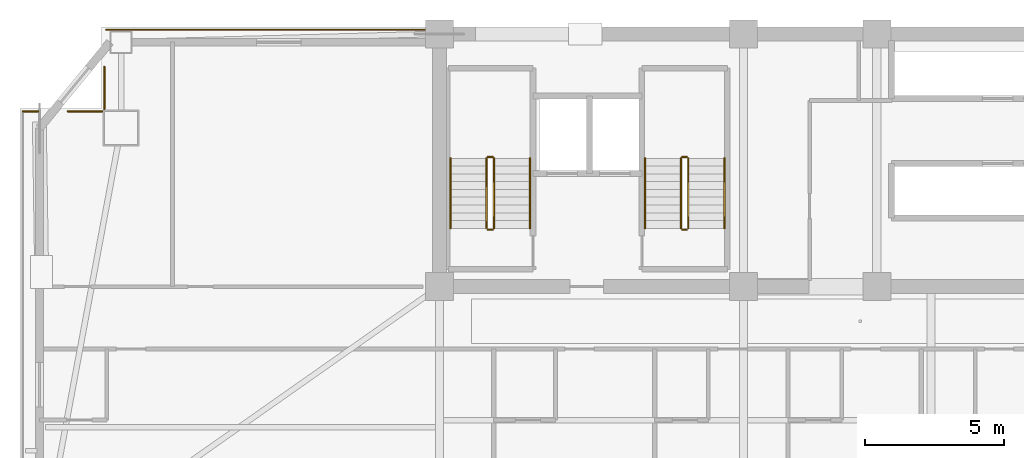
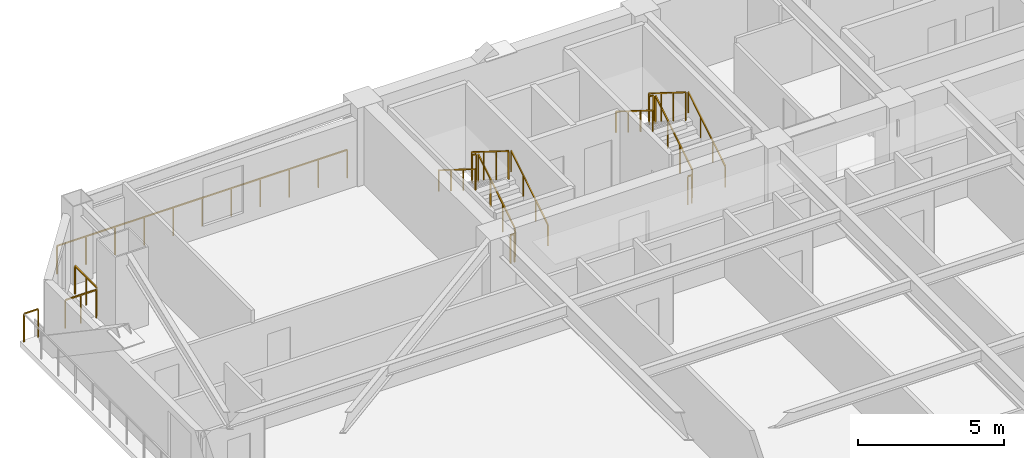
# One storey, part 14 of 15: 16 railings.
"""IFC4 building model written with IfcOpenShell, lengths in metres."""

from ifc_helpers import new_model, si_unit, direction, frame, origin, origin_2d, place, context, subcontext, project, spatial, rectangle, extrude, material, type_object, element, save


model = new_model("IFC4")

# Units and contexts
model_context = context("Model", 3, precision=1e-05, world=origin(), true_north=direction((0.0, 1.0)))
body_context = subcontext(model_context, "Body", "Model", "MODEL_VIEW")
ifc_project = project(units=[si_unit("LENGTHUNIT", "METRE"), si_unit("AREAUNIT", "SQUARE_METRE"), si_unit("VOLUMEUNIT", "CUBIC_METRE"), si_unit("PLANEANGLEUNIT", "RADIAN"), si_unit("MASSUNIT", "GRAM", prefix="KILO")], contexts=[model_context])

# Site, building, storey
site_placement = place(None, origin())
site = spatial("IfcSite", under=ifc_project, at=site_placement, CompositionType="ELEMENT")
building_placement = place(site_placement, origin())
building = spatial("IfcBuilding", under=site, at=building_placement, Name="Giltprow Tower", CompositionType="ELEMENT")
storey_placement = place(building_placement, frame((0.0, 0.0, 149.199951171875)))
storey = spatial("IfcBuildingStorey", under=building, at=storey_placement, Name="L36", CompositionType="ELEMENT", Elevation=149.199951171875)

# Railings
ifc_material = material(Name="Anodized bronze", Category="metal")
railing_type_1 = type_object("IfcRailingType", Name="RAIL-BALC-GUARD-1200", PredefinedType="BALUSTRADE", material=ifc_material)
railing_1_placement = place(storey_placement, frame((4.84912109375, 43.760986328125, 0.0)))
element("IfcRailing", 1, at=railing_1_placement, inside=storey, type_object=railing_type_1, Name="L36 Corner Apron Edge Balustrade 6", PredefinedType="BALUSTRADE", context=body_context, shape_type="SweptSolid", body=[
    extrude(rectangle(XDim=0.048095703125, YDim=0.048095703125, at=origin_2d()), frame((0.0, 0.0, 1.17578125), z_axis=(1.0, 0.0, 0.0), x_axis=(0.0, 1.0, 0.0)), (0.0, 0.0, 1.0), 0.561767578125),
    extrude(rectangle(XDim=0.0419921875, YDim=0.0419921875, at=origin_2d()), origin(), (0.0, 0.0, 1.0), 1.15185546875),
    extrude(rectangle(XDim=0.0419921875, YDim=0.0419921875, at=origin_2d()), frame((0.561767578125, 0.0, 0.0)), (0.0, 0.0, 1.0), 1.15185546875),
])
railing_2_placement = place(storey_placement, frame((6.472900390625, 43.760986328125, 0.0)))
element("IfcRailing", 2, at=railing_2_placement, inside=storey, type_object=railing_type_1, Name="L36 Corner Apron Edge Balustrade 7", PredefinedType="BALUSTRADE", context=body_context, shape_type="SweptSolid", body=[
    extrude(rectangle(XDim=0.048095703125, YDim=0.048095703125, at=origin_2d()), frame((0.0, 0.0, 1.17578125), z_axis=(1.0, 0.0, 0.0), x_axis=(0.0, 1.0, 0.0)), (0.0, 0.0, 1.0), 1.22998046875),
    extrude(rectangle(XDim=0.0419921875, YDim=0.0419921875, at=origin_2d()), origin(), (0.0, 0.0, 1.0), 1.15185546875),
    extrude(rectangle(XDim=0.0419921875, YDim=0.0419921875, at=origin_2d()), frame((0.614990234375, 0.0, 0.0)), (0.0, 0.0, 1.0), 1.15185546875),
    extrude(rectangle(XDim=0.0419921875, YDim=0.0419921875, at=origin_2d()), frame((1.22998046875, 0.0, 0.0)), (0.0, 0.0, 1.0), 1.15185546875),
])
railing_3_placement = place(storey_placement, frame((7.7880859375, 43.845947265625, 0.0)))
element("IfcRailing", 3, at=railing_3_placement, inside=storey, type_object=railing_type_1, Name="L36 Corner Apron Edge Balustrade 8", PredefinedType="BALUSTRADE", context=body_context, shape_type="SweptSolid", body=[
    extrude(rectangle(XDim=0.048095703125, YDim=0.048095703125, at=origin_2d()), frame((0.0, 0.0, 1.17578125), z_axis=(0.0, 1.0, 0.0), x_axis=(-1.0, 0.0, 0.0)), (0.0, 0.0, 1.0), 1.51513671875),
    extrude(rectangle(XDim=0.0419921875, YDim=0.0419921875, at=origin_2d()), origin(), (0.0, 0.0, 1.0), 1.15185546875),
    extrude(rectangle(XDim=0.0419921875, YDim=0.0419921875, at=origin_2d()), frame((0.0, 0.757568359375, 0.0)), (0.0, 0.0, 1.0), 1.15185546875),
    extrude(rectangle(XDim=0.0419921875, YDim=0.0419921875, at=origin_2d()), frame((0.0, 1.51513671875, 0.0)), (0.0, 0.0, 1.0), 1.15185546875),
])
railing_4_placement = place(storey_placement, frame((7.85009765625, 46.699951171875, 0.0)))
element("IfcRailing", 4, at=railing_4_placement, inside=storey, type_object=railing_type_1, Name="L36 Corner Apron Edge Balustrade 9", PredefinedType="BALUSTRADE", context=body_context, shape_type="SweptSolid", body=[
    extrude(rectangle(XDim=0.048095703125, YDim=0.048095703125, at=origin_2d()), frame((0.0, 0.0, 1.17578125), z_axis=(1.0, 0.0, 0.0), x_axis=(0.0, 1.0, 0.0)), (0.0, 0.0, 1.0), 11.46484375),
    extrude(rectangle(XDim=0.0419921875, YDim=0.0419921875, at=origin_2d()), origin(), (0.0, 0.0, 1.0), 1.15185546875),
    extrude(rectangle(XDim=0.0419921875, YDim=0.0419921875, at=origin_2d()), frame((1.146484375, 0.0, 0.0)), (0.0, 0.0, 1.0), 1.15185546875),
    extrude(rectangle(XDim=0.0419921875, YDim=0.0419921875, at=origin_2d()), frame((2.29296875, 0.0, 0.0)), (0.0, 0.0, 1.0), 1.15185546875),
    extrude(rectangle(XDim=0.0419921875, YDim=0.0419921875, at=origin_2d()), frame((3.439453125, 0.0, 0.0)), (0.0, 0.0, 1.0), 1.15185546875),
    extrude(rectangle(XDim=0.0419921875, YDim=0.0419921875, at=origin_2d()), frame((4.5859375, 0.0, 0.0)), (0.0, 0.0, 1.0), 1.15185546875),
    extrude(rectangle(XDim=0.0419921875, YDim=0.0419921875, at=origin_2d()), frame((5.732421875, 0.0, 0.0)), (0.0, 0.0, 1.0), 1.15185546875),
    extrude(rectangle(XDim=0.0419921875, YDim=0.0419921875, at=origin_2d()), frame((6.87890625, 0.0, 0.0)), (0.0, 0.0, 1.0), 1.15185546875),
    extrude(rectangle(XDim=0.0419921875, YDim=0.0419921875, at=origin_2d()), frame((8.025390625, 0.0, 0.0)), (0.0, 0.0, 1.0), 1.15185546875),
    extrude(rectangle(XDim=0.0419921875, YDim=0.0419921875, at=origin_2d()), frame((9.171875, 0.0, 0.0)), (0.0, 0.0, 1.0), 1.15185546875),
    extrude(rectangle(XDim=0.0419921875, YDim=0.0419921875, at=origin_2d()), frame((10.318359375, 0.0, 0.0)), (0.0, 0.0, 1.0), 1.15185546875),
    extrude(rectangle(XDim=0.0419921875, YDim=0.0419921875, at=origin_2d()), frame((11.46484375, 0.0, 0.0)), (0.0, 0.0, 1.0), 1.15185546875),
])
railing_type_2 = type_object("IfcRailingType", Name="RAIL-STAIR-GUARD-1200", PredefinedType="GUARDRAIL", material=ifc_material)
railing_5_placement = place(storey_placement, frame((21.81005859375, 39.550048828125, 0.175048828125)))
element("IfcRailing", 5, at=railing_5_placement, inside=storey, type_object=railing_type_2, Name="L36 ST-1 stair guard 1", PredefinedType="GUARDRAIL", context=body_context, shape_type="SweptSolid", body=[
    extrude(rectangle(XDim=0.048095703125, YDim=0.048095703125, at=origin_2d()), frame((0.0, 0.0, 1.17578125), z_axis=(0.0, 0.848007534815, 0.529984170421), x_axis=(-1.0, 0.0, 0.0)), (0.0, 0.0, 1.0), 2.9716796875),
    extrude(rectangle(XDim=0.0419921875, YDim=0.0419921875, at=origin_2d()), origin(), (0.0, 0.0, 1.0), 1.15185546875),
    extrude(rectangle(XDim=0.0419921875, YDim=0.0419921875, at=origin_2d()), frame((0.0, 0.840087890625, 0.52490234375)), (0.0, 0.0, 1.0), 1.15185546875),
    extrude(rectangle(XDim=0.0419921875, YDim=0.0419921875, at=origin_2d()), frame((0.0, 1.679931640625, 1.050048828125)), (0.0, 0.0, 1.0), 1.15185546875),
    extrude(rectangle(XDim=0.0419921875, YDim=0.0419921875, at=origin_2d()), frame((0.0, 2.52001953125, 1.574951171875)), (0.0, 0.0, 1.0), 1.15185546875),
])
railing_6_placement = place(storey_placement, frame((21.760009765625, 42.1201171875, 1.75)))
element("IfcRailing", 6, at=railing_6_placement, inside=storey, type_object=railing_type_2, Name="L36 ST-1 stair guard 2", PredefinedType="GUARDRAIL", context=body_context, shape_type="SweptSolid", body=[
    extrude(rectangle(XDim=0.048095703125, YDim=0.048095703125, at=origin_2d()), frame((0.0, 0.0, 1.17578125), z_axis=(-1.0, 0.0, 0.0), x_axis=(0.0, -1.0, 0.0)), (0.0, 0.0, 1.0), 0.159912109375),
    extrude(rectangle(XDim=0.0419921875, YDim=0.0419921875, at=origin_2d()), origin(), (0.0, 0.0, 1.0), 1.15185546875),
    extrude(rectangle(XDim=0.0419921875, YDim=0.0419921875, at=origin_2d()), frame((-0.159912109375, 0.0, 0.0)), (0.0, 0.0, 1.0), 1.15185546875),
])
railing_7_placement = place(storey_placement, frame((21.550048828125, 42.070068359375, 1.925048828125)))
element("IfcRailing", 7, at=railing_7_placement, inside=storey, type_object=railing_type_2, Name="L36 ST-1 stair guard 3", PredefinedType="GUARDRAIL", context=body_context, shape_type="SweptSolid", body=[
    extrude(rectangle(XDim=0.048095703125, YDim=0.048095703125, at=origin_2d()), frame((0.0, 0.0, 1.17578125), z_axis=(0.0, -0.848007534815, 0.529984170421), x_axis=(1.0, 0.0, 0.0)), (0.0, 0.0, 1.0), 2.9716796875),
    extrude(rectangle(XDim=0.0419921875, YDim=0.0419921875, at=origin_2d()), origin(), (0.0, 0.0, 1.0), 1.15185546875),
    extrude(rectangle(XDim=0.0419921875, YDim=0.0419921875, at=origin_2d()), frame((0.0, -0.840087890625, 0.52490234375)), (0.0, 0.0, 1.0), 1.15185546875),
    extrude(rectangle(XDim=0.0419921875, YDim=0.0419921875, at=origin_2d()), frame((0.0, -1.679931640625, 1.050048828125)), (0.0, 0.0, 1.0), 1.15185546875),
    extrude(rectangle(XDim=0.0419921875, YDim=0.0419921875, at=origin_2d()), frame((0.0, -2.52001953125, 1.574951171875)), (0.0, 0.0, 1.0), 1.15185546875),
])
railing_8_placement = place(storey_placement, frame((21.760009765625, 39.5, 0.0)))
element("IfcRailing", 8, at=railing_8_placement, inside=storey, type_object=railing_type_2, Name="L36 ST-1 stair guard 4", PredefinedType="GUARDRAIL", context=body_context, shape_type="SweptSolid", body=[
    extrude(rectangle(XDim=0.048095703125, YDim=0.048095703125, at=origin_2d()), frame((0.0, 0.0, 1.17578125), z_axis=(-1.0, 0.0, 0.0), x_axis=(0.0, -1.0, 0.0)), (0.0, 0.0, 1.0), 0.159912109375),
    extrude(rectangle(XDim=0.0419921875, YDim=0.0419921875, at=origin_2d()), origin(), (0.0, 0.0, 1.0), 1.15185546875),
    extrude(rectangle(XDim=0.0419921875, YDim=0.0419921875, at=origin_2d()), frame((-0.159912109375, 0.0, 0.0)), (0.0, 0.0, 1.0), 1.15185546875),
])
railing_9_placement = place(storey_placement, frame((28.81005859375, 39.550048828125, 0.175048828125)))
element("IfcRailing", 9, at=railing_9_placement, inside=storey, type_object=railing_type_2, Name="L36 ST-2 stair guard 1", PredefinedType="GUARDRAIL", context=body_context, shape_type="SweptSolid", body=[
    extrude(rectangle(XDim=0.048095703125, YDim=0.048095703125, at=origin_2d()), frame((0.0, 0.0, 1.17578125), z_axis=(0.0, 0.848007534815, 0.529984170421), x_axis=(-1.0, 0.0, 0.0)), (0.0, 0.0, 1.0), 2.9716796875),
    extrude(rectangle(XDim=0.0419921875, YDim=0.0419921875, at=origin_2d()), origin(), (0.0, 0.0, 1.0), 1.15185546875),
    extrude(rectangle(XDim=0.0419921875, YDim=0.0419921875, at=origin_2d()), frame((0.0, 0.840087890625, 0.52490234375)), (0.0, 0.0, 1.0), 1.15185546875),
    extrude(rectangle(XDim=0.0419921875, YDim=0.0419921875, at=origin_2d()), frame((0.0, 1.679931640625, 1.050048828125)), (0.0, 0.0, 1.0), 1.15185546875),
    extrude(rectangle(XDim=0.0419921875, YDim=0.0419921875, at=origin_2d()), frame((0.0, 2.52001953125, 1.574951171875)), (0.0, 0.0, 1.0), 1.15185546875),
])
railing_10_placement = place(storey_placement, frame((28.760009765625, 42.1201171875, 1.75)))
element("IfcRailing", 10, at=railing_10_placement, inside=storey, type_object=railing_type_2, Name="L36 ST-2 stair guard 2", PredefinedType="GUARDRAIL", context=body_context, shape_type="SweptSolid", body=[
    extrude(rectangle(XDim=0.048095703125, YDim=0.048095703125, at=origin_2d()), frame((0.0, 0.0, 1.17578125), z_axis=(-1.0, 0.0, 0.0), x_axis=(0.0, -1.0, 0.0)), (0.0, 0.0, 1.0), 0.159912109375),
    extrude(rectangle(XDim=0.0419921875, YDim=0.0419921875, at=origin_2d()), origin(), (0.0, 0.0, 1.0), 1.15185546875),
    extrude(rectangle(XDim=0.0419921875, YDim=0.0419921875, at=origin_2d()), frame((-0.159912109375, 0.0, 0.0)), (0.0, 0.0, 1.0), 1.15185546875),
])
railing_11_placement = place(storey_placement, frame((28.550048828125, 42.070068359375, 1.925048828125)))
element("IfcRailing", 11, at=railing_11_placement, inside=storey, type_object=railing_type_2, Name="L36 ST-2 stair guard 3", PredefinedType="GUARDRAIL", context=body_context, shape_type="SweptSolid", body=[
    extrude(rectangle(XDim=0.048095703125, YDim=0.048095703125, at=origin_2d()), frame((0.0, 0.0, 1.17578125), z_axis=(0.0, -0.848007534815, 0.529984170421), x_axis=(1.0, 0.0, 0.0)), (0.0, 0.0, 1.0), 2.9716796875),
    extrude(rectangle(XDim=0.0419921875, YDim=0.0419921875, at=origin_2d()), origin(), (0.0, 0.0, 1.0), 1.15185546875),
    extrude(rectangle(XDim=0.0419921875, YDim=0.0419921875, at=origin_2d()), frame((0.0, -0.840087890625, 0.52490234375)), (0.0, 0.0, 1.0), 1.15185546875),
    extrude(rectangle(XDim=0.0419921875, YDim=0.0419921875, at=origin_2d()), frame((0.0, -1.679931640625, 1.050048828125)), (0.0, 0.0, 1.0), 1.15185546875),
    extrude(rectangle(XDim=0.0419921875, YDim=0.0419921875, at=origin_2d()), frame((0.0, -2.52001953125, 1.574951171875)), (0.0, 0.0, 1.0), 1.15185546875),
])
railing_12_placement = place(storey_placement, frame((28.760009765625, 39.5, 0.0)))
element("IfcRailing", 12, at=railing_12_placement, inside=storey, type_object=railing_type_2, Name="L36 ST-2 stair guard 4", PredefinedType="GUARDRAIL", context=body_context, shape_type="SweptSolid", body=[
    extrude(rectangle(XDim=0.048095703125, YDim=0.048095703125, at=origin_2d()), frame((0.0, 0.0, 1.17578125), z_axis=(-1.0, 0.0, 0.0), x_axis=(0.0, -1.0, 0.0)), (0.0, 0.0, 1.0), 0.159912109375),
    extrude(rectangle(XDim=0.0419921875, YDim=0.0419921875, at=origin_2d()), origin(), (0.0, 0.0, 1.0), 1.15185546875),
    extrude(rectangle(XDim=0.0419921875, YDim=0.0419921875, at=origin_2d()), frame((-0.159912109375, 0.0, 0.0)), (0.0, 0.0, 1.0), 1.15185546875),
])
railing_type_3 = type_object("IfcRailingType", Name="RAIL-STAIR-HAND-900", PredefinedType="HANDRAIL", material=ifc_material)
railing_13_placement = place(storey_placement, frame((23.110107421875, 39.550048828125, 0.175048828125)))
element("IfcRailing", 13, at=railing_13_placement, inside=storey, type_object=railing_type_3, Name="L36 ST-1 stair handrail 1", PredefinedType="HANDRAIL", context=body_context, shape_type="SweptSolid", body=[
    extrude(rectangle(XDim=0.048095703125, YDim=0.048095703125, at=origin_2d()), frame((0.0, 0.0, 0.8759765625), z_axis=(0.0, 0.848007534815, 0.529984170421), x_axis=(-1.0, 0.0, 0.0)), (0.0, 0.0, 1.0), 2.9716796875),
    extrude(rectangle(XDim=0.0419921875, YDim=0.0419921875, at=origin_2d()), origin(), (0.0, 0.0, 1.0), 0.851806640625),
    extrude(rectangle(XDim=0.0419921875, YDim=0.0419921875, at=origin_2d()), frame((0.0, 0.840087890625, 0.52490234375)), (0.0, 0.0, 1.0), 0.851806640625),
    extrude(rectangle(XDim=0.0419921875, YDim=0.0419921875, at=origin_2d()), frame((0.0, 1.679931640625, 1.050048828125)), (0.0, 0.0, 1.0), 0.851806640625),
    extrude(rectangle(XDim=0.0419921875, YDim=0.0419921875, at=origin_2d()), frame((0.0, 2.52001953125, 1.574951171875)), (0.0, 0.0, 1.0), 0.851806640625),
])
railing_14_placement = place(storey_placement, frame((20.25, 42.070068359375, 1.925048828125)))
element("IfcRailing", 14, at=railing_14_placement, inside=storey, type_object=railing_type_3, Name="L36 ST-1 stair handrail 2", PredefinedType="HANDRAIL", context=body_context, shape_type="SweptSolid", body=[
    extrude(rectangle(XDim=0.048095703125, YDim=0.048095703125, at=origin_2d()), frame((0.0, 0.0, 0.8759765625), z_axis=(0.0, -0.848007534815, 0.529984170421), x_axis=(1.0, 0.0, 0.0)), (0.0, 0.0, 1.0), 2.9716796875),
    extrude(rectangle(XDim=0.0419921875, YDim=0.0419921875, at=origin_2d()), origin(), (0.0, 0.0, 1.0), 0.851806640625),
    extrude(rectangle(XDim=0.0419921875, YDim=0.0419921875, at=origin_2d()), frame((0.0, -0.840087890625, 0.52490234375)), (0.0, 0.0, 1.0), 0.851806640625),
    extrude(rectangle(XDim=0.0419921875, YDim=0.0419921875, at=origin_2d()), frame((0.0, -1.679931640625, 1.050048828125)), (0.0, 0.0, 1.0), 0.851806640625),
    extrude(rectangle(XDim=0.0419921875, YDim=0.0419921875, at=origin_2d()), frame((0.0, -2.52001953125, 1.574951171875)), (0.0, 0.0, 1.0), 0.851806640625),
])
railing_15_placement = place(storey_placement, frame((30.110107421875, 39.550048828125, 0.175048828125)))
element("IfcRailing", 15, at=railing_15_placement, inside=storey, type_object=railing_type_3, Name="L36 ST-2 stair handrail 1", PredefinedType="HANDRAIL", context=body_context, shape_type="SweptSolid", body=[
    extrude(rectangle(XDim=0.048095703125, YDim=0.048095703125, at=origin_2d()), frame((0.0, 0.0, 0.8759765625), z_axis=(0.0, 0.848007534815, 0.529984170421), x_axis=(-1.0, 0.0, 0.0)), (0.0, 0.0, 1.0), 2.9716796875),
    extrude(rectangle(XDim=0.0419921875, YDim=0.0419921875, at=origin_2d()), origin(), (0.0, 0.0, 1.0), 0.851806640625),
    extrude(rectangle(XDim=0.0419921875, YDim=0.0419921875, at=origin_2d()), frame((0.0, 0.840087890625, 0.52490234375)), (0.0, 0.0, 1.0), 0.851806640625),
    extrude(rectangle(XDim=0.0419921875, YDim=0.0419921875, at=origin_2d()), frame((0.0, 1.679931640625, 1.050048828125)), (0.0, 0.0, 1.0), 0.851806640625),
    extrude(rectangle(XDim=0.0419921875, YDim=0.0419921875, at=origin_2d()), frame((0.0, 2.52001953125, 1.574951171875)), (0.0, 0.0, 1.0), 0.851806640625),
])
railing_16_placement = place(storey_placement, frame((27.25, 42.070068359375, 1.925048828125)))
element("IfcRailing", 16, at=railing_16_placement, inside=storey, type_object=railing_type_3, Name="L36 ST-2 stair handrail 2", PredefinedType="HANDRAIL", context=body_context, shape_type="SweptSolid", body=[
    extrude(rectangle(XDim=0.048095703125, YDim=0.048095703125, at=origin_2d()), frame((0.0, 0.0, 0.8759765625), z_axis=(0.0, -0.848007534815, 0.529984170421), x_axis=(1.0, 0.0, 0.0)), (0.0, 0.0, 1.0), 2.9716796875),
    extrude(rectangle(XDim=0.0419921875, YDim=0.0419921875, at=origin_2d()), origin(), (0.0, 0.0, 1.0), 0.851806640625),
    extrude(rectangle(XDim=0.0419921875, YDim=0.0419921875, at=origin_2d()), frame((0.0, -0.840087890625, 0.52490234375)), (0.0, 0.0, 1.0), 0.851806640625),
    extrude(rectangle(XDim=0.0419921875, YDim=0.0419921875, at=origin_2d()), frame((0.0, -1.679931640625, 1.050048828125)), (0.0, 0.0, 1.0), 0.851806640625),
    extrude(rectangle(XDim=0.0419921875, YDim=0.0419921875, at=origin_2d()), frame((0.0, -2.52001953125, 1.574951171875)), (0.0, 0.0, 1.0), 0.851806640625),
])

save(model, "model.ifc")
